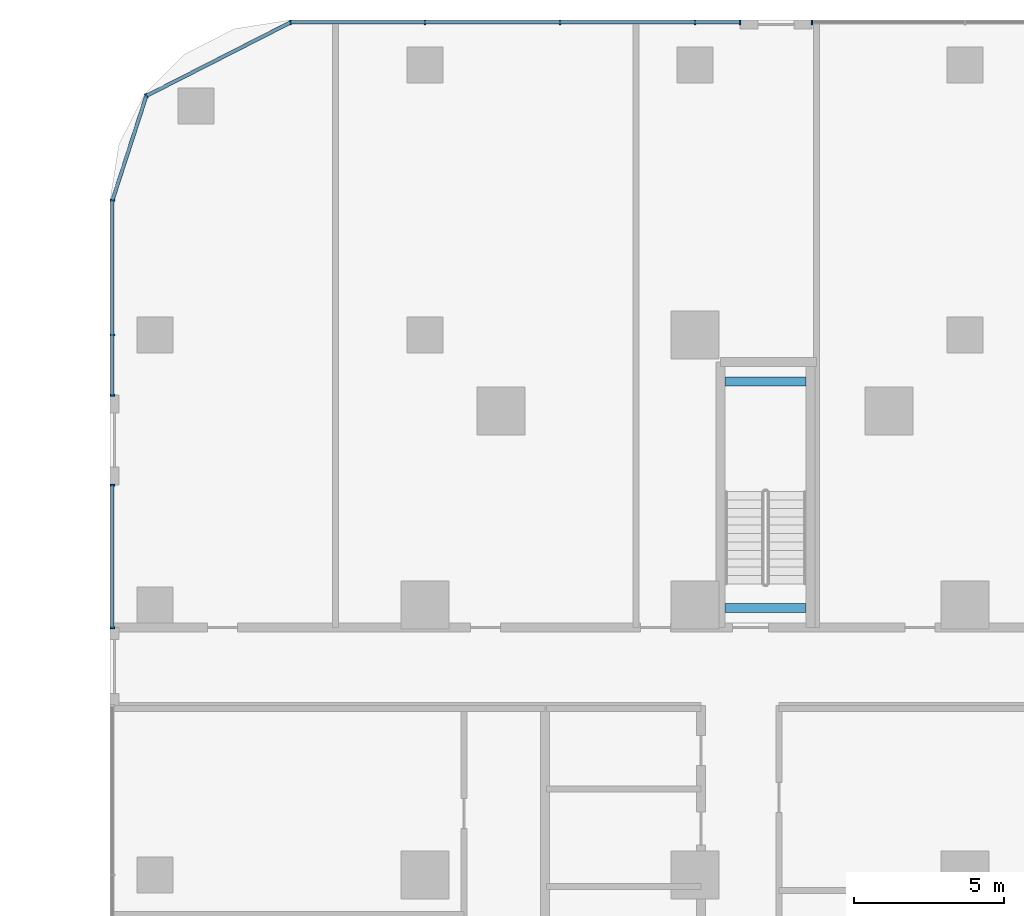
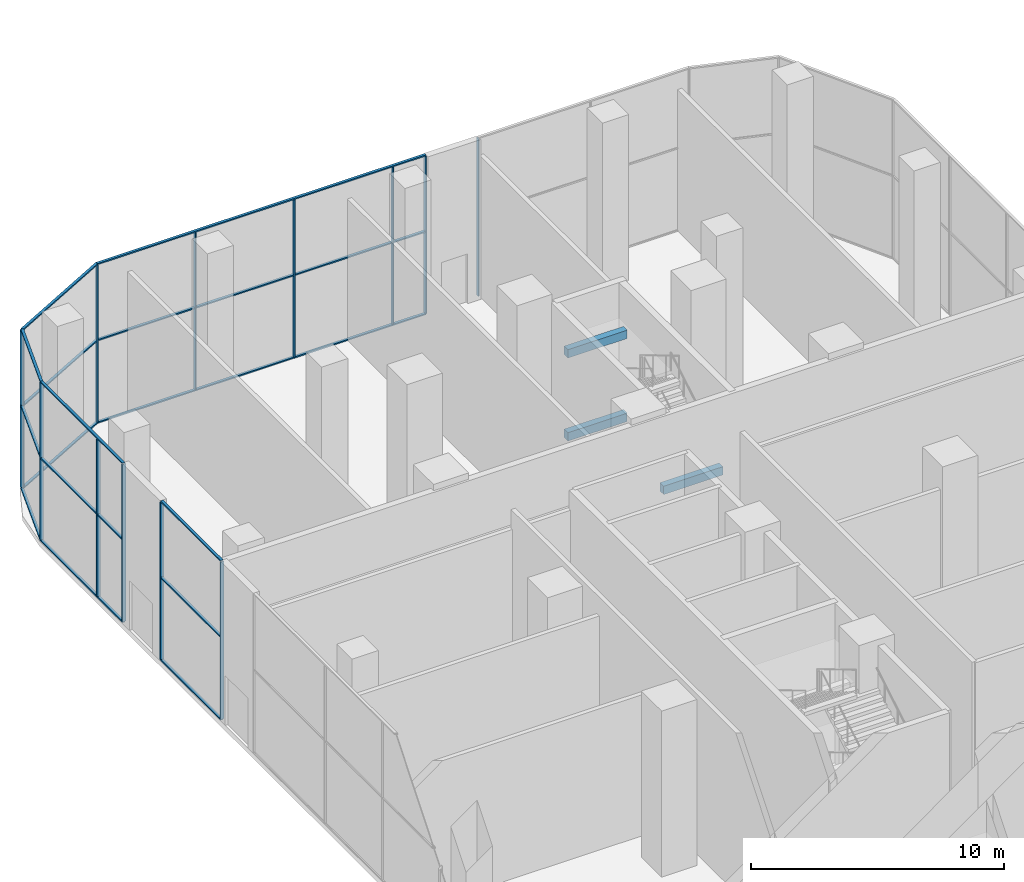
# One storey, part 18 of 54: 27 members, 3 beams, 5 elements without a shape of their own.
"""IFC4 building model written with IfcOpenShell, lengths in metres."""

from ifc_helpers import new_model, si_unit, direction, frame, origin, origin_2d, place, context, subcontext, project, spatial, rectangle, extrude, material, material_profile, profile_set, type_object, element, aggregate, save


model = new_model("IFC4")

# Units and contexts
model_context = context("Model", 3, precision=1e-05, world=origin(), true_north=direction((0.0, 1.0)))
body_context = subcontext(model_context, "Body", "Model", "MODEL_VIEW")
ifc_project = project(units=[si_unit("LENGTHUNIT", "METRE"), si_unit("AREAUNIT", "SQUARE_METRE"), si_unit("VOLUMEUNIT", "CUBIC_METRE"), si_unit("PLANEANGLEUNIT", "RADIAN"), si_unit("MASSUNIT", "GRAM", prefix="KILO")], contexts=[model_context])

# Site, building, storey
site_placement = place(None, origin())
site = spatial("IfcSite", under=ifc_project, at=site_placement, CompositionType="ELEMENT")
building_placement = place(site_placement, origin())
building = spatial("IfcBuilding", under=site, at=building_placement, Name="Ogive Portal Towers", CompositionType="ELEMENT")
storey_placement = place(building_placement, origin())
storey = spatial("IfcBuildingStorey", under=building, at=storey_placement, Name="L00", CompositionType="ELEMENT", Elevation=0.0)

# Beams
ifc_material_1 = material(Name="Concrete C40/50", Category="concrete")
ifc_material_profile_1 = material_profile(ifc_material_1, rectangle(XDim=0.300048828125, YDim=0.39990234375, at=origin_2d()), Name="RC 300x400")
ifc_profile_set_1 = profile_set([ifc_material_profile_1], Name="Concrete C40/50")
beam_type = type_object("IfcBeamType", Name="BEAM RC 300x400", PredefinedType="BEAM", material=ifc_profile_set_1)
for number, where, z_axis, x_axis, name in (
    (1, (41.5, 73.949951171875, 1.60009765625), (1.0, 0.0, 0.0), (0.0, 1.0, 0.0), "Landing beam L00"),
    (2, (41.5, 66.39990234375, 3.60009765625), (1.0, 0.0, 0.0), (0.0, 1.0, 0.0), "Landing beam L00"),
    (3, (41.5, 73.949951171875, 5.60009765625), (1.0, 0.0, 0.0), (0.0, 1.0, 0.0), "Landing beam L00"),
):
    element("IfcBeam", number, at=place(storey_placement, frame(where, z_axis=z_axis, x_axis=x_axis)), inside=storey, type_object=beam_type, Name=name, PredefinedType="BEAM", context=body_context, shape_type="SweptSolid", body=[
        extrude(rectangle(XDim=0.300048828125, YDim=0.39990234375, at=origin_2d()), origin(), (0.0, 0.0, 1.0), 2.699951171875),
    ])

# Curtain wall, member
ifc_material_2 = material(Name="Glass, clear low-iron insulated glazing", Category="glass")
curtain_wall_type = type_object("IfcCurtainWallType", Name="CW PODIUM SHOPFRONT", PredefinedType="NOTDEFINED", material=ifc_material_2)
curtain_wall_1_placement = place(storey_placement, origin())
curtain_wall_1 = element("IfcCurtainWall", 4, at=curtain_wall_1_placement, inside=storey, type_object=curtain_wall_type, Name="A:L00:f14:cw0", PredefinedType="NOTDEFINED")
ifc_material_3 = material(Name="Aluminium 6063 anodised", Category="aluminium")
ifc_material_profile_2 = material_profile(ifc_material_3, rectangle(XDim=0.159912109375, YDim=0.06005859375, at=origin_2d()), Name="AL 60x160")
ifc_profile_set_2 = profile_set([ifc_material_profile_2], Name="Aluminium 6063 anodised")
member_type_1 = type_object("IfcMemberType", Name="CW MULLION 60x160", PredefinedType="MULLION", material=ifc_profile_set_2)
member_1_placement = place(storey_placement, frame((44.398681640625, 85.919921875, 0.06005859375), z_axis=(0.0, 0.0, 1.0), x_axis=(0.0, -1.0, 0.0)))
member_1 = element("IfcMember", 5, at=member_1_placement, type_object=member_type_1, Name="mullion", PredefinedType="MULLION", context=body_context, shape_type="SweptSolid", body=[
    extrude(rectangle(XDim=0.159912109375, YDim=0.06005859375, at=origin_2d()), origin(), (0.0, 0.0, 1.0), 7.579833984375),
])
aggregate(curtain_wall_1, [member_1])

# Curtain wall, members
curtain_wall_2_placement = place(storey_placement, origin())
curtain_wall_2 = element("IfcCurtainWall", 6, at=curtain_wall_2_placement, inside=storey, type_object=curtain_wall_type, Name="A:L00:f14:cw1", PredefinedType="NOTDEFINED")
member_2_placement = place(storey_placement, frame((42.00146484375, 85.919921875, 0.06005859375), z_axis=(0.0, 0.0, 1.0), x_axis=(0.0, -1.0, 0.0)))
member_2 = element("IfcMember", 7, at=member_2_placement, type_object=member_type_1, Name="mullion", PredefinedType="MULLION", context=body_context, shape_type="SweptSolid", body=[
    extrude(rectangle(XDim=0.159912109375, YDim=0.06005859375, at=origin_2d()), origin(), (0.0, 0.0, 1.0), 7.579833984375),
])
member_3_placement = place(storey_placement, frame((40.5, 85.919921875, 0.06005859375), z_axis=(0.0, 0.0, 1.0), x_axis=(0.0, -1.0, 0.0)))
member_3 = element("IfcMember", 8, at=member_3_placement, type_object=member_type_1, Name="mullion", PredefinedType="MULLION", context=body_context, shape_type="SweptSolid", body=[
    extrude(rectangle(XDim=0.159912109375, YDim=0.06005859375, at=origin_2d()), origin(), (0.0, 0.0, 1.0), 7.579833984375),
])
member_4_placement = place(storey_placement, frame((36.0, 85.919921875, 0.06005859375), z_axis=(0.0, 0.0, 1.0), x_axis=(0.0, -1.0, 0.0)))
member_4 = element("IfcMember", 9, at=member_4_placement, type_object=member_type_1, Name="mullion", PredefinedType="MULLION", context=body_context, shape_type="SweptSolid", body=[
    extrude(rectangle(XDim=0.159912109375, YDim=0.06005859375, at=origin_2d()), origin(), (0.0, 0.0, 1.0), 7.579833984375),
])
member_5_placement = place(storey_placement, frame((31.5, 85.919921875, 0.06005859375), z_axis=(0.0, 0.0, 1.0), x_axis=(0.0, -1.0, 0.0)))
member_5 = element("IfcMember", 10, at=member_5_placement, type_object=member_type_1, Name="mullion", PredefinedType="MULLION", context=body_context, shape_type="SweptSolid", body=[
    extrude(rectangle(XDim=0.159912109375, YDim=0.06005859375, at=origin_2d()), origin(), (0.0, 0.0, 1.0), 7.579833984375),
])
member_6_placement = place(storey_placement, frame((27.019287109375, 85.919921875, 0.06005859375), z_axis=(0.0, 0.0, 1.0), x_axis=(0.0, -1.0, 0.0)))
member_6 = element("IfcMember", 11, at=member_6_placement, type_object=member_type_1, Name="mullion", PredefinedType="MULLION", context=body_context, shape_type="SweptSolid", body=[
    extrude(rectangle(XDim=0.159912109375, YDim=0.06005859375, at=origin_2d()), origin(), (0.0, 0.0, 1.0), 7.579833984375),
])

curtain_wall_3_placement = place(storey_placement, origin())
curtain_wall_3 = element("IfcCurtainWall", 12, at=curtain_wall_3_placement, inside=storey, type_object=curtain_wall_type, Name="A:L00:f17:cw0", PredefinedType="NOTDEFINED")
member_7_placement = place(storey_placement, frame((21.080078125, 79.9873046875, 0.06005859375), z_axis=(0.0, 0.0, 1.0), x_axis=(1.0, 0.0, 0.0)))
member_7 = element("IfcMember", 13, at=member_7_placement, type_object=member_type_1, Name="mullion", PredefinedType="MULLION", context=body_context, shape_type="SweptSolid", body=[
    extrude(rectangle(XDim=0.159912109375, YDim=0.06005859375, at=origin_2d()), origin(), (0.0, 0.0, 1.0), 7.579833984375),
])
member_8_placement = place(storey_placement, frame((21.080078125, 75.5, 0.06005859375), z_axis=(0.0, 0.0, 1.0), x_axis=(1.0, 0.0, 0.0)))
member_8 = element("IfcMember", 14, at=member_8_placement, type_object=member_type_1, Name="mullion", PredefinedType="MULLION", context=body_context, shape_type="SweptSolid", body=[
    extrude(rectangle(XDim=0.159912109375, YDim=0.06005859375, at=origin_2d()), origin(), (0.0, 0.0, 1.0), 7.579833984375),
])
member_9_placement = place(storey_placement, frame((21.080078125, 73.49072265625, 0.06005859375), z_axis=(0.0, 0.0, 1.0), x_axis=(1.0, 0.0, 0.0)))
member_9 = element("IfcMember", 15, at=member_9_placement, type_object=member_type_1, Name="mullion", PredefinedType="MULLION", context=body_context, shape_type="SweptSolid", body=[
    extrude(rectangle(XDim=0.159912109375, YDim=0.06005859375, at=origin_2d()), origin(), (0.0, 0.0, 1.0), 7.579833984375),
])

curtain_wall_4_placement = place(storey_placement, origin())
curtain_wall_4 = element("IfcCurtainWall", 16, at=curtain_wall_4_placement, inside=storey, type_object=curtain_wall_type, Name="A:L00:f17:cw1", PredefinedType="NOTDEFINED")
member_10_placement = place(storey_placement, frame((21.080078125, 70.4921875, 0.06005859375), z_axis=(0.0, 0.0, 1.0), x_axis=(1.0, 0.0, 0.0)))
member_10 = element("IfcMember", 17, at=member_10_placement, type_object=member_type_1, Name="mullion", PredefinedType="MULLION", context=body_context, shape_type="SweptSolid", body=[
    extrude(rectangle(XDim=0.159912109375, YDim=0.06005859375, at=origin_2d()), origin(), (0.0, 0.0, 1.0), 7.579833984375),
])
member_11_placement = place(storey_placement, frame((21.080078125, 65.74462890625, 0.06005859375), z_axis=(0.0, 0.0, 1.0), x_axis=(1.0, 0.0, 0.0)))
member_11 = element("IfcMember", 18, at=member_11_placement, type_object=member_type_1, Name="mullion", PredefinedType="MULLION", context=body_context, shape_type="SweptSolid", body=[
    extrude(rectangle(XDim=0.159912109375, YDim=0.06005859375, at=origin_2d()), origin(), (0.0, 0.0, 1.0), 7.579833984375),
])

# Curtain wall, member
curtain_wall_5_placement = place(storey_placement, origin())
curtain_wall_5 = element("IfcCurtainWall", 19, at=curtain_wall_5_placement, inside=storey, type_object=curtain_wall_type, Name="A:L00:f15:cwa", PredefinedType="NOTDEFINED")
member_12_placement = place(storey_placement, frame((22.211669921875, 83.470458984375, 0.06005859375), z_axis=(0.0, 0.0, 1.0), x_axis=(0.45399049974, -0.891006524188, 0.0)))
member_12 = element("IfcMember", 20, at=member_12_placement, type_object=member_type_1, Name="mullion", PredefinedType="MULLION", context=body_context, shape_type="SweptSolid", body=[
    extrude(rectangle(XDim=0.159912109375, YDim=0.06005859375, at=origin_2d()), origin(), (0.0, 0.0, 1.0), 7.579833984375),
])

# Member
ifc_material_profile_3 = material_profile(ifc_material_3, rectangle(XDim=0.1201171875, YDim=0.06005859375, at=origin_2d()), Name="AL 120x60")
ifc_profile_set_3 = profile_set([ifc_material_profile_3], Name="Aluminium 6063 anodised")
member_type_2 = type_object("IfcMemberType", Name="CW TRANSOM 60x120", PredefinedType="USERDEFINED", material=ifc_profile_set_3)
member_13_placement = place(storey_placement, frame((42.00146484375, 85.919921875, 0.030029296875), z_axis=(-1.0, 0.0, 0.0), x_axis=(0.0, -1.0, 0.0)))
member_13 = element("IfcMember", 21, at=member_13_placement, type_object=member_type_2, Name="transom", ObjectType="TRANSOM", PredefinedType="USERDEFINED", context=body_context, shape_type="SweptSolid", body=[
    extrude(rectangle(XDim=0.1201171875, YDim=0.06005859375, at=origin_2d()), origin(), (0.0, 0.0, 1.0), 14.982177734375),
])

member_14_placement = place(storey_placement, frame((42.00146484375, 85.919921875, 4.0), z_axis=(-1.0, 0.0, 0.0), x_axis=(0.0, -1.0, 0.0)))
member_14 = element("IfcMember", 22, at=member_14_placement, type_object=member_type_2, Name="transom", ObjectType="TRANSOM", PredefinedType="USERDEFINED", context=body_context, shape_type="SweptSolid", body=[
    extrude(rectangle(XDim=0.1201171875, YDim=0.06005859375, at=origin_2d()), origin(), (0.0, 0.0, 1.0), 14.982177734375),
])

member_15_placement = place(storey_placement, frame((42.00146484375, 85.919921875, 7.669921875), z_axis=(-1.0, 0.0, 0.0), x_axis=(0.0, -1.0, 0.0)))
member_15 = element("IfcMember", 23, at=member_15_placement, type_object=member_type_2, Name="transom", ObjectType="TRANSOM", PredefinedType="USERDEFINED", context=body_context, shape_type="SweptSolid", body=[
    extrude(rectangle(XDim=0.1201171875, YDim=0.06005859375, at=origin_2d()), origin(), (0.0, 0.0, 1.0), 14.982177734375),
])

aggregate(curtain_wall_2, [member_13, member_14, member_15, member_2, member_3, member_4, member_5, member_6])

member_16_placement = place(storey_placement, frame((21.080078125, 79.9873046875, 0.030029296875), z_axis=(0.0, -1.0, 0.0), x_axis=(1.0, 0.0, 0.0)))
member_16 = element("IfcMember", 24, at=member_16_placement, type_object=member_type_2, Name="transom", ObjectType="TRANSOM", PredefinedType="USERDEFINED", context=body_context, shape_type="SweptSolid", body=[
    extrude(rectangle(XDim=0.1201171875, YDim=0.06005859375, at=origin_2d()), origin(), (0.0, 0.0, 1.0), 6.49658203125),
])

member_17_placement = place(storey_placement, frame((21.080078125, 79.9873046875, 4.0), z_axis=(0.0, -1.0, 0.0), x_axis=(1.0, 0.0, 0.0)))
member_17 = element("IfcMember", 25, at=member_17_placement, type_object=member_type_2, Name="transom", ObjectType="TRANSOM", PredefinedType="USERDEFINED", context=body_context, shape_type="SweptSolid", body=[
    extrude(rectangle(XDim=0.1201171875, YDim=0.06005859375, at=origin_2d()), origin(), (0.0, 0.0, 1.0), 6.49658203125),
])

member_18_placement = place(storey_placement, frame((21.080078125, 79.9873046875, 7.669921875), z_axis=(0.0, -1.0, 0.0), x_axis=(1.0, 0.0, 0.0)))
member_18 = element("IfcMember", 26, at=member_18_placement, type_object=member_type_2, Name="transom", ObjectType="TRANSOM", PredefinedType="USERDEFINED", context=body_context, shape_type="SweptSolid", body=[
    extrude(rectangle(XDim=0.1201171875, YDim=0.06005859375, at=origin_2d()), origin(), (0.0, 0.0, 1.0), 6.49658203125),
])

aggregate(curtain_wall_3, [member_16, member_17, member_18, member_7, member_8, member_9])

member_19_placement = place(storey_placement, frame((21.080078125, 70.4921875, 0.030029296875), z_axis=(0.0, -1.0, 0.0), x_axis=(1.0, 0.0, 0.0)))
member_19 = element("IfcMember", 27, at=member_19_placement, type_object=member_type_2, Name="transom", ObjectType="TRANSOM", PredefinedType="USERDEFINED", context=body_context, shape_type="SweptSolid", body=[
    extrude(rectangle(XDim=0.1201171875, YDim=0.06005859375, at=origin_2d()), origin(), (0.0, 0.0, 1.0), 4.74755859375),
])

member_20_placement = place(storey_placement, frame((21.080078125, 70.4921875, 4.0), z_axis=(0.0, -1.0, 0.0), x_axis=(1.0, 0.0, 0.0)))
member_20 = element("IfcMember", 28, at=member_20_placement, type_object=member_type_2, Name="transom", ObjectType="TRANSOM", PredefinedType="USERDEFINED", context=body_context, shape_type="SweptSolid", body=[
    extrude(rectangle(XDim=0.1201171875, YDim=0.06005859375, at=origin_2d()), origin(), (0.0, 0.0, 1.0), 4.74755859375),
])

member_21_placement = place(storey_placement, frame((21.080078125, 70.4921875, 7.669921875), z_axis=(0.0, -1.0, 0.0), x_axis=(1.0, 0.0, 0.0)))
member_21 = element("IfcMember", 29, at=member_21_placement, type_object=member_type_2, Name="transom", ObjectType="TRANSOM", PredefinedType="USERDEFINED", context=body_context, shape_type="SweptSolid", body=[
    extrude(rectangle(XDim=0.1201171875, YDim=0.06005859375, at=origin_2d()), origin(), (0.0, 0.0, 1.0), 4.74755859375),
])

aggregate(curtain_wall_4, [member_19, member_20, member_21, member_10, member_11])

member_22_placement = place(storey_placement, frame((27.019287109375, 85.919921875, 0.030029296875), z_axis=(-0.891017050983, -0.453969839149, 0.0), x_axis=(0.453969839149, -0.891017050983, 0.0)))
member_22 = element("IfcMember", 30, at=member_22_placement, type_object=member_type_2, Name="transom", ObjectType="TRANSOM", PredefinedType="USERDEFINED", context=body_context, shape_type="SweptSolid", body=[
    extrude(rectangle(XDim=0.1201171875, YDim=0.06005859375, at=origin_2d()), origin(), (0.0, 0.0, 1.0), 5.395751953125),
])

member_23_placement = place(storey_placement, frame((27.019287109375, 85.919921875, 4.0), z_axis=(-0.891017050983, -0.453969839149, 0.0), x_axis=(0.453969839149, -0.891017050983, 0.0)))
member_23 = element("IfcMember", 31, at=member_23_placement, type_object=member_type_2, Name="transom", ObjectType="TRANSOM", PredefinedType="USERDEFINED", context=body_context, shape_type="SweptSolid", body=[
    extrude(rectangle(XDim=0.1201171875, YDim=0.06005859375, at=origin_2d()), origin(), (0.0, 0.0, 1.0), 5.395751953125),
])

member_24_placement = place(storey_placement, frame((27.019287109375, 85.919921875, 7.669921875), z_axis=(-0.891017050983, -0.453969839149, 0.0), x_axis=(0.453969839149, -0.891017050983, 0.0)))
member_24 = element("IfcMember", 32, at=member_24_placement, type_object=member_type_2, Name="transom", ObjectType="TRANSOM", PredefinedType="USERDEFINED", context=body_context, shape_type="SweptSolid", body=[
    extrude(rectangle(XDim=0.1201171875, YDim=0.06005859375, at=origin_2d()), origin(), (0.0, 0.0, 1.0), 5.395751953125),
])

member_25_placement = place(storey_placement, frame((22.211669921875, 83.470458984375, 0.030029296875), z_axis=(-0.308979049184, -0.951068844598, 0.0), x_axis=(0.951068844598, -0.308979049184, 0.0)))
member_25 = element("IfcMember", 33, at=member_25_placement, type_object=member_type_2, Name="transom", ObjectType="TRANSOM", PredefinedType="USERDEFINED", context=body_context, shape_type="SweptSolid", body=[
    extrude(rectangle(XDim=0.1201171875, YDim=0.06005859375, at=origin_2d()), origin(), (0.0, 0.0, 1.0), 3.662353515625),
])

member_26_placement = place(storey_placement, frame((22.211669921875, 83.470458984375, 4.0), z_axis=(-0.308979049184, -0.951068844598, 0.0), x_axis=(0.951068844598, -0.308979049184, 0.0)))
member_26 = element("IfcMember", 34, at=member_26_placement, type_object=member_type_2, Name="transom", ObjectType="TRANSOM", PredefinedType="USERDEFINED", context=body_context, shape_type="SweptSolid", body=[
    extrude(rectangle(XDim=0.1201171875, YDim=0.06005859375, at=origin_2d()), origin(), (0.0, 0.0, 1.0), 3.662353515625),
])

member_27_placement = place(storey_placement, frame((22.211669921875, 83.470458984375, 7.669921875), z_axis=(-0.308979049184, -0.951068844598, 0.0), x_axis=(0.951068844598, -0.308979049184, 0.0)))
member_27 = element("IfcMember", 35, at=member_27_placement, type_object=member_type_2, Name="transom", ObjectType="TRANSOM", PredefinedType="USERDEFINED", context=body_context, shape_type="SweptSolid", body=[
    extrude(rectangle(XDim=0.1201171875, YDim=0.06005859375, at=origin_2d()), origin(), (0.0, 0.0, 1.0), 3.662353515625),
])

aggregate(curtain_wall_5, [member_22, member_23, member_24, member_25, member_26, member_27, member_12])

save(model, "model.ifc")
